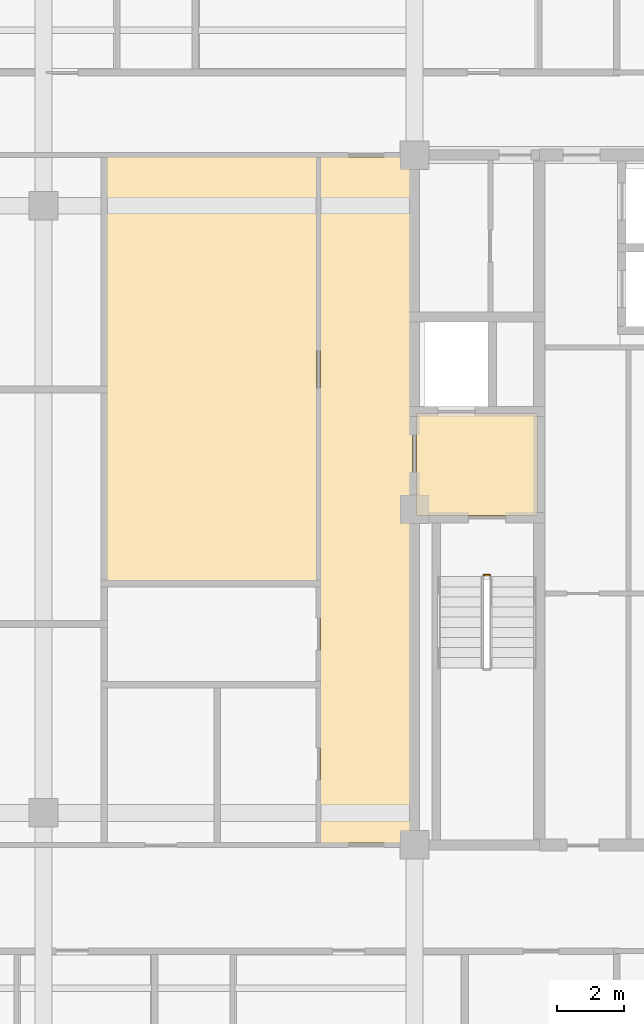
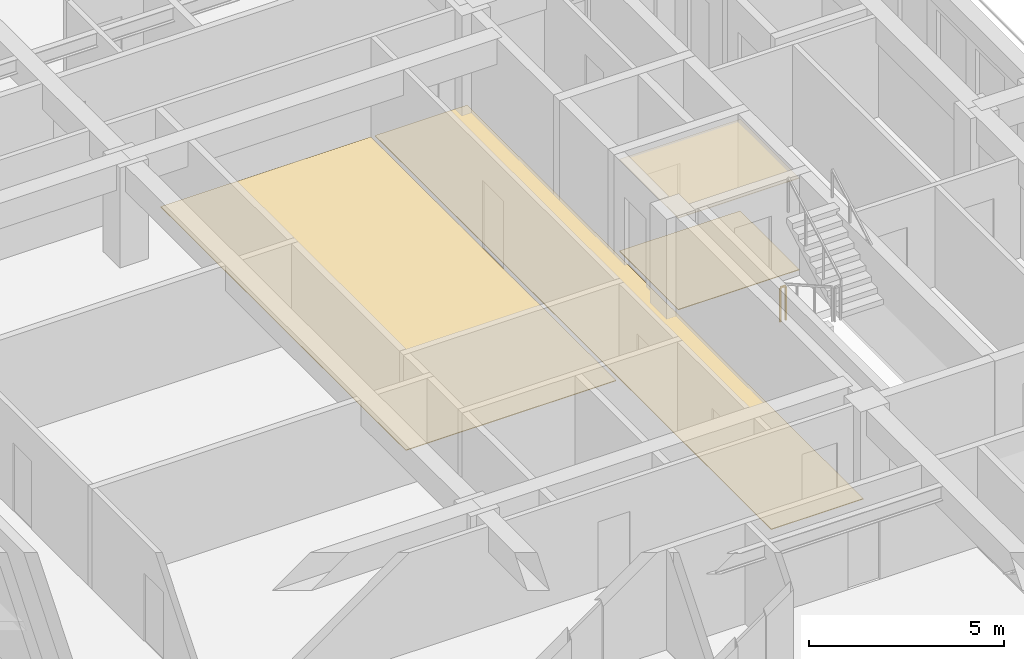
# One storey, part 14 of 15: 4 coverings, 1 railing.
"""IFC4 building model written with IfcOpenShell, lengths in metres."""

from ifc_helpers import new_model, si_unit, direction, frame, origin, origin_2d, place, context, subcontext, project, spatial, polyline, rectangle, outline, extrude, material, layer, layer_set, type_object, element, save


model = new_model("IFC4")

# Units and contexts
model_context = context("Model", 3, precision=1e-05, world=origin(), true_north=direction((0.0, 1.0)))
body_context = subcontext(model_context, "Body", "Model", "MODEL_VIEW")
ifc_project = project(units=[si_unit("LENGTHUNIT", "METRE"), si_unit("AREAUNIT", "SQUARE_METRE"), si_unit("VOLUMEUNIT", "CUBIC_METRE"), si_unit("PLANEANGLEUNIT", "RADIAN"), si_unit("MASSUNIT", "GRAM", prefix="KILO")], contexts=[model_context])

# Site, building, storey
site_placement = place(None, origin())
site = spatial("IfcSite", under=ifc_project, at=site_placement, CompositionType="ELEMENT")
building_placement = place(site_placement, origin())
building = spatial("IfcBuilding", under=site, at=building_placement, Name="Zulmaris Gate Convention Tower", CompositionType="ELEMENT")
storey_placement = place(building_placement, frame((0.0, 0.0, 201.659912109375)))
storey = spatial("IfcBuildingStorey", under=building, at=storey_placement, Name="L52", CompositionType="ELEMENT", Elevation=201.659912109375)

# Coverings
ifc_material_1 = material(Name="Mineral Fibre Acoustic Ceiling Tile")
ifc_layer_1 = layer(ifc_material_1, 0.02001953125, Name="Mineral Fibre Acoustic Ceiling Tile")
ifc_layer_set_1 = layer_set([ifc_layer_1], Name="Mineral Fibre Acoustic Ceiling Tile")
covering_type_1 = type_object("IfcCoveringType", Name="CLG-ACOUSTIC-600", PredefinedType="CEILING", material=ifc_layer_set_1)
covering_1_placement = place(storey_placement, frame((0.0, 0.0, 2.8701171875)))
element("IfcCovering", 1, at=covering_1_placement, inside=storey, type_object=covering_type_1, Name="CLG-L52-R08", PredefinedType="CEILING", context=body_context, shape_type="SweptSolid", body=[
    extrude(outline(polyline([(11.06005859375, -0.18994140625), (14.639892578125, -0.18994140625), (14.639892578125, 2.840087890625), (11.06005859375, 2.840087890625), (11.06005859375, -0.18994140625)])), origin(), (0.0, 0.0, 1.0), 0.02001953125),
])
ifc_material_2 = material(Name="Woven Acoustic Wool Carpet Tile")
ifc_layer_2 = layer(ifc_material_2, 0.02001953125, Name="Woven Acoustic Wool Carpet Tile")
ifc_layer_set_2 = layer_set([ifc_layer_2], Name="Woven Acoustic Wool Carpet Tile")
covering_type_2 = type_object("IfcCoveringType", Name="FLR-CARPET-12", PredefinedType="FLOORING", material=ifc_layer_set_2)
covering_2_placement = place(storey_placement, origin())
element("IfcCovering", 2, at=covering_2_placement, inside=storey, type_object=covering_type_2, Name="FLR-L52-R08", PredefinedType="FLOORING", context=body_context, shape_type="SweptSolid", body=[
    extrude(outline(polyline([(11.06005859375, -0.18994140625), (14.639892578125, -0.18994140625), (14.639892578125, 2.840087890625), (11.06005859375, 2.840087890625), (11.06005859375, -0.18994140625)])), origin(), (0.0, 0.0, 1.0), 0.02001953125),
])
covering_3_placement = place(storey_placement, origin())
element("IfcCovering", 3, at=covering_3_placement, inside=storey, type_object=covering_type_2, Name="FLR-L52-R34", PredefinedType="FLOORING", context=body_context, shape_type="SweptSolid", body=[
    extrude(outline(polyline([(8.2099609375, -9.889892578125), (10.93994140625, -9.889892578125), (10.93994140625, 10.43994140625), (8.2099609375, 10.43994140625), (8.2099609375, -9.889892578125)])), origin(), (0.0, 0.0, 1.0), 0.02001953125),
])
ifc_material_3 = material(Name="Engineered Teak Parquet Flooring")
ifc_layer_3 = layer(ifc_material_3, 0.02001953125, Name="Engineered Teak Parquet Flooring")
ifc_layer_set_3 = layer_set([ifc_layer_3], Name="Engineered Teak Parquet Flooring")
covering_type_3 = type_object("IfcCoveringType", Name="FLR-TIMBER-18", PredefinedType="FLOORING", material=ifc_layer_set_3)
covering_4_placement = place(storey_placement, origin())
element("IfcCovering", 4, at=covering_4_placement, inside=storey, type_object=covering_type_3, Name="FLR-L52-R57", PredefinedType="FLOORING", context=body_context, shape_type="SweptSolid", body=[
    extrude(outline(polyline([(1.860107421875, -2.139892578125), (8.090087890625, -2.139892578125), (8.090087890625, 10.43994140625), (1.860107421875, 10.43994140625), (1.860107421875, -2.139892578125)])), origin(), (0.0, 0.0, 1.0), 0.02001953125),
])

# Railing
ifc_material_4 = material(Name="Painted Galvanised Steel", Category="steel")
railing_type = type_object("IfcRailingType", Name="RL-STG-1150", PredefinedType="GUARDRAIL", material=ifc_material_4)
railing_placement = place(storey_placement, frame((13.06005859375, -1.949951171875, 0.0)))
element("IfcRailing", 5, at=railing_placement, inside=storey, type_object=railing_type, Name="L52 ST-2 stair guard 4", PredefinedType="GUARDRAIL", context=body_context, shape_type="SweptSolid", body=[
    extrude(rectangle(XDim=0.048095703125, YDim=0.048095703125, at=origin_2d()), frame((0.0, 0.0, 1.076171875), z_axis=(1.0, 0.0, 0.0), x_axis=(0.0, 1.0, 0.0)), (0.0, 0.0, 1.0), 0.159912109375),
    extrude(rectangle(XDim=0.0419921875, YDim=0.0419921875, at=origin_2d()), origin(), (0.0, 0.0, 1.0), 1.052001953125),
    extrude(rectangle(XDim=0.0419921875, YDim=0.0419921875, at=origin_2d()), frame((0.159912109375, 0.0, 0.0)), (0.0, 0.0, 1.0), 1.052001953125),
])

save(model, "model.ifc")
